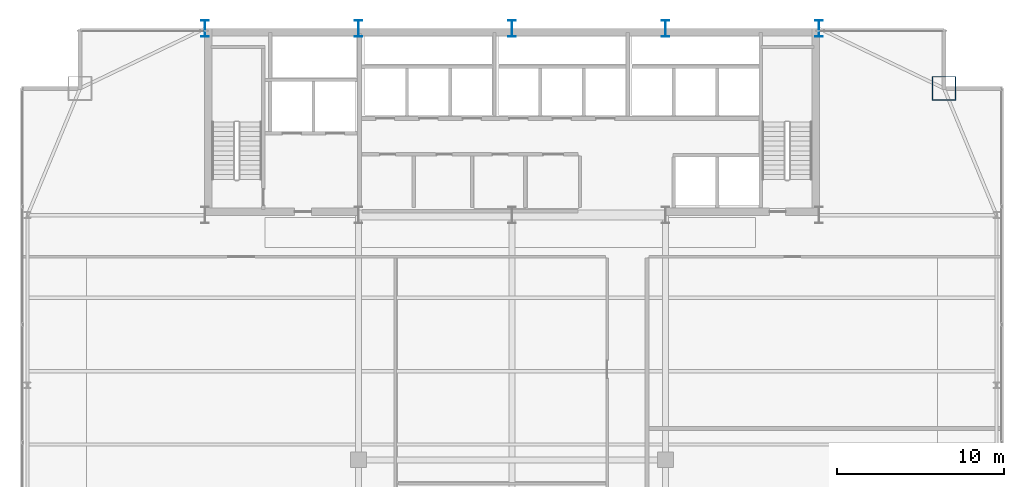
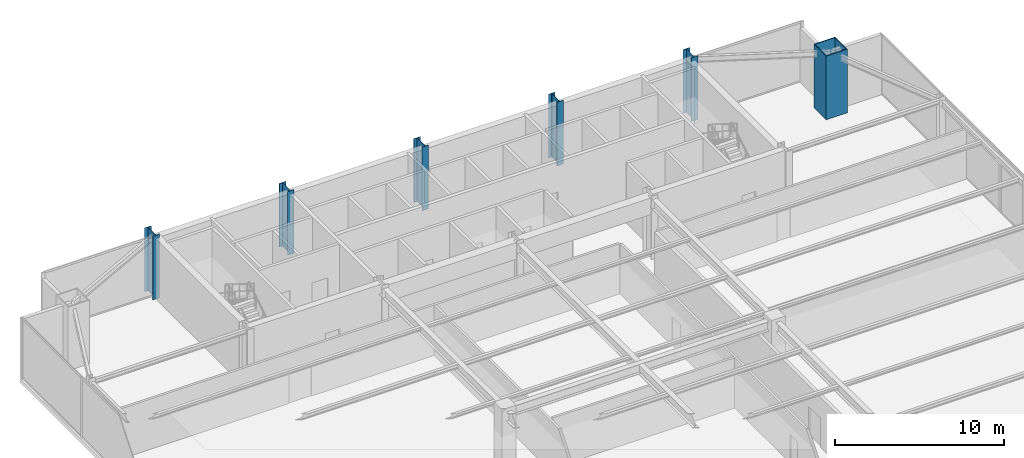
# One storey, part 3 of 32: 6 columns.
"""IFC4 building model written with IfcOpenShell, lengths in metres."""

import ifcopenshell
import ifcopenshell.guid

model = None  # the IFC model being written
_history = None  # IfcOwnerHistory: only IFC2X3 demands one
_inside = {}  # id of a spatial element -> (the spatial element, [elements in it])
_under = {}  # id of a project, library or spatial element -> (it, [spatial elements below it])
_declared = {}  # id of a project -> (the project, [libraries it declares])
_typed = {}  # id of a type object -> (the type object, [elements of that type])
_made_of = {}  # id of a material, layer set ... -> (it, [elements and type objects made of it])


def new_model(schema):
    """Start an empty IFC model of exactly this schema.

    Asked for "IFC4X3", IfcOpenShell would pick the latest addendum, in which some entities
    have other attributes; the version numbers below select the first issue.
    IFC2X3 requires an IfcOwnerHistory on every rooted entity: one is made here for all.
    """
    global model, _history
    if schema == "IFC4X3":
        model = ifcopenshell.file(schema_version=(4, 3, 0, 0))
    else:
        model = ifcopenshell.file(schema=schema)
    _inside.clear()
    _under.clear()
    _declared.clear()
    _typed.clear()
    _made_of.clear()
    _history = None
    if model.schema == "IFC2X3":
        org = make("IfcOrganization", Name="unknown")
        user = make(
            "IfcPersonAndOrganization",
            ThePerson=make("IfcPerson", FamilyName="unknown"),
            TheOrganization=org,
        )
        app = make(
            "IfcApplication",
            ApplicationDeveloper=org,
            Version="unknown",
            ApplicationFullName="unknown",
            ApplicationIdentifier="unknown",
        )
        _history = make(
            "IfcOwnerHistory",
            OwningUser=user,
            OwningApplication=app,
            ChangeAction="ADDED",
            CreationDate=0,
        )
    return model


def make(cls, **values):
    """One entity of the class cls with the attributes given. An attribute that is None is left unset."""
    return model.create_entity(
        cls, **{name: value for name, value in values.items() if value is not None}
    )


def rooted(cls, **values):
    """An entity with a GlobalId (a new one), such as an element, a storey or a relation."""
    return make(cls, GlobalId=ifcopenshell.guid.new(), OwnerHistory=_history, **values)


def si_unit(unit_type, name, prefix=None):
    """IfcSIUnit, for example si_unit("LENGTHUNIT", "METRE", prefix="MILLI")."""
    return make("IfcSIUnit", UnitType=unit_type, Prefix=prefix, Name=name)


def assignment(units):
    """IfcUnitAssignment: the units of a project."""
    return None if units is None else make("IfcUnitAssignment", Units=units)


def point(xyz):
    """IfcCartesianPoint."""
    return None if xyz is None else make("IfcCartesianPoint", Coordinates=xyz)


def direction(xyz):
    """IfcDirection."""
    return None if xyz is None else make("IfcDirection", DirectionRatios=xyz)


def frame(location, z_axis=None, x_axis=None):
    """IfcAxis2Placement3D, a coordinate frame: its origin and axes. An axis left out is left unset."""
    return make(
        "IfcAxis2Placement3D",
        Location=point(location),
        Axis=direction(z_axis),
        RefDirection=direction(x_axis),
    )


def frame_2d(location, x_axis=None):
    """IfcAxis2Placement2D, a coordinate frame in the plane: its origin and x axis."""
    return make(
        "IfcAxis2Placement2D", Location=point(location), RefDirection=direction(x_axis)
    )


def origin():
    """The frame at (0, 0, 0) with its axes left unset."""
    return frame((0.0, 0.0, 0.0))


def origin_2d():
    """The frame at (0, 0) in the plane with its x axis left unset."""
    return frame_2d((0.0, 0.0))


def place(relative_to, where):
    """IfcLocalPlacement: puts the frame where relative to a parent placement (None: the world)."""
    return make(
        "IfcLocalPlacement", PlacementRelTo=relative_to, RelativePlacement=where
    )


def context(
    kind, dimensions, precision=None, world=None, true_north=None, identifier=None
):
    """IfcGeometricRepresentationContext, for example the 3D "Model" context."""
    return make(
        "IfcGeometricRepresentationContext",
        ContextIdentifier=identifier,
        ContextType=kind,
        CoordinateSpaceDimension=dimensions,
        Precision=precision,
        WorldCoordinateSystem=world,
        TrueNorth=true_north,
    )


def subcontext(parent, identifier, kind, view, scale=None):
    """IfcGeometricRepresentationSubContext, for example "Body" below "Model"."""
    return make(
        "IfcGeometricRepresentationSubContext",
        ContextIdentifier=identifier,
        ContextType=kind,
        ParentContext=parent,
        TargetScale=scale,
        TargetView=view,
    )


def project(units=None, contexts=None):
    """IfcProject with its units and contexts."""
    return rooted(
        "IfcProject",
        Name="project",
        RepresentationContexts=contexts,
        UnitsInContext=assignment(units),
    )


def spatial(cls, under=None, at=None, **own):
    """A site, building, storey or space (cls), placed at a placement, below another one or the project."""
    s = rooted(cls, ObjectPlacement=at, **own)
    if under is not None:
        _under.setdefault(under.id(), (under, []))[1].append(s)
    return s


def profile(cls, at=None, kind="AREA", **sizes):
    """A parametric profile (cls). Its sizes go by their IFC names, for example OverallWidth=200.0."""
    return make(cls, ProfileType=kind, Position=at, **sizes)


def hollow_rectangle(**sizes):
    """IfcRectangleHollowProfileDef."""
    return profile("IfcRectangleHollowProfileDef", **sizes)


def i_section(**sizes):
    """IfcIShapeProfileDef."""
    return profile("IfcIShapeProfileDef", **sizes)


def extrude(swept, where, along, depth):
    """IfcExtrudedAreaSolid: the profile swept, set in the frame where, extruded along a direction by depth."""
    return make(
        "IfcExtrudedAreaSolid",
        SweptArea=swept,
        Position=where,
        ExtrudedDirection=direction(along),
        Depth=depth,
    )


def shape(context_of_items, identifier, shape_type, items):
    """IfcShapeRepresentation: the items that make up one representation, for example the "Body"."""
    return make(
        "IfcShapeRepresentation",
        ContextOfItems=context_of_items,
        RepresentationIdentifier=identifier,
        RepresentationType=shape_type,
        Items=items,
    )


def source(mapping_origin, context_of_items, identifier, shape_type, items):
    """IfcRepresentationMap: a shape defined once, which mapped items show again and again."""
    return make(
        "IfcRepresentationMap",
        MappingOrigin=mapping_origin,
        MappedRepresentation=shape(context_of_items, identifier, shape_type, items),
    )


def transform(
    local_origin,
    x_axis=None,
    y_axis=None,
    z_axis=None,
    scale=None,
    scale2=None,
    scale3=None,
    uniform=True,
):
    """IfcCartesianTransformationOperator3D, or its non-uniform kind. x_axis, y_axis, z_axis: its Axis1, 2, 3."""
    if uniform:
        return make(
            "IfcCartesianTransformationOperator3D",
            Axis1=direction(x_axis),
            Axis2=direction(y_axis),
            LocalOrigin=point(local_origin),
            Scale=scale,
            Axis3=direction(z_axis),
        )
    return make(
        "IfcCartesianTransformationOperator3DnonUniform",
        Axis1=direction(x_axis),
        Axis2=direction(y_axis),
        LocalOrigin=point(local_origin),
        Scale=scale,
        Axis3=direction(z_axis),
        Scale2=scale2,
        Scale3=scale3,
    )


def mapped(mapping_source, mapping_target):
    """IfcMappedItem: shows the shape of a source again, moved by a transform."""
    return make(
        "IfcMappedItem", MappingSource=mapping_source, MappingTarget=mapping_target
    )


def material(Name=None, Category=None):
    """IfcMaterial."""
    return make("IfcMaterial", Name=Name, Category=Category)


def material_profile(
    of_material, cross_section, Name=None, Category=None, Priority=None
):
    """IfcMaterialProfile: a cross section and its material."""
    return make(
        "IfcMaterialProfile",
        Name=Name,
        Material=of_material,
        Profile=cross_section,
        Priority=Priority,
        Category=Category,
    )


def profile_set(profiles, Name=None, composite=None):
    """IfcMaterialProfileSet."""
    return make(
        "IfcMaterialProfileSet",
        Name=Name,
        MaterialProfiles=profiles,
        CompositeProfile=composite,
    )


def made_of(thing, what):
    """Note that an element or type object is made of a material, layer set ...; save() writes the relation."""
    if what is not None:
        _made_of.setdefault(what.id(), (what, []))[1].append(thing)
    return thing


def type_object(cls, material=None, **own):
    """A type object (cls), such as IfcWallType, which elements share."""
    return made_of(rooted(cls, **own), material)


def type_shapes(of_type, sources):
    """Give a type object the sources (RepresentationMaps) that its elements show as mapped items."""
    of_type.RepresentationMaps = sources


def element(
    cls,
    number,
    at=None,
    inside=None,
    cuts=None,
    type_object=None,
    material=None,
    context=None,
    identifier="Body",
    shape_type=None,
    held_by="IfcProductDefinitionShape",
    body=None,
    shapes=None,
    **own,
):
    """One element of the class cls, such as IfcWall. Its Tag is "e" and its number.

    at: its placement. inside: the storey or other place that contains it. cuts: it is an
    opening in that element (IfcRelVoidsElement). A single representation is given by context,
    identifier, shape_type and body (its items); several are given by shapes. held_by: the class
    of the entity that holds the representations. save() writes the other relations.
    """
    e = rooted(cls, Tag="e%d" % number, ObjectPlacement=at, **own)
    if body is not None:
        shapes = [shape(context, identifier, shape_type, body)]
    if shapes is not None:
        e.Representation = make(held_by, Representations=shapes)
    if inside is not None:
        _inside.setdefault(inside.id(), (inside, []))[1].append(e)
    if cuts is not None:
        rooted(
            "IfcRelVoidsElement", RelatingBuildingElement=cuts, RelatedOpeningElement=e
        )
    if type_object is not None:
        _typed.setdefault(type_object.id(), (type_object, []))[1].append(e)
    return made_of(e, material)


def aggregate(whole, parts):
    """IfcRelAggregates: a whole, such as a stair, and the parts it consists of."""
    return rooted("IfcRelAggregates", RelatingObject=whole, RelatedObjects=parts)


def save(model, path):
    """Write the relations noted so far, then the file.

    IfcRelAggregates (storeys below a building ...), IfcRelContainedInSpatialStructure (elements
    in a storey), IfcRelDefinesByType, IfcRelAssociatesMaterial and IfcRelDeclares: one each for
    every whole, place, type object, material and project.
    """
    for whole, parts in _under.values():
        aggregate(whole, parts)
    for where, things in _inside.values():
        rooted(
            "IfcRelContainedInSpatialStructure",
            RelatedElements=things,
            RelatingStructure=where,
        )
    for kind, things in _typed.values():
        rooted("IfcRelDefinesByType", RelatedObjects=things, RelatingType=kind)
    for what, things in _made_of.values():
        rooted("IfcRelAssociatesMaterial", RelatedObjects=things, RelatingMaterial=what)
    for by, libraries in _declared.values():
        rooted("IfcRelDeclares", RelatingContext=by, RelatedDefinitions=libraries)
    model.write(path)


model = new_model("IFC4")

# Units and contexts
model_context = context("Model", 3, precision=1e-05, world=origin(), true_north=direction((0.0, 1.0)))
body_context = subcontext(model_context, "Body", "Model", "MODEL_VIEW")
ifc_project = project(units=[si_unit("LENGTHUNIT", "METRE"), si_unit("AREAUNIT", "SQUARE_METRE"), si_unit("VOLUMEUNIT", "CUBIC_METRE"), si_unit("PLANEANGLEUNIT", "RADIAN"), si_unit("MASSUNIT", "GRAM", prefix="KILO")], contexts=[model_context])

# Site, building, storey
site_placement = place(None, origin())
site = spatial("IfcSite", under=ifc_project, at=site_placement, CompositionType="ELEMENT")
building_placement = place(site_placement, origin())
building = spatial("IfcBuilding", under=site, at=building_placement, Name="Varnel Quay Broadcast Tower", CompositionType="ELEMENT")
storey_placement = place(building_placement, frame((0.0, 0.0, 98.39990234375)))
storey = spatial("IfcBuildingStorey", under=building, at=storey_placement, Name="L23", CompositionType="ELEMENT", Elevation=98.39990234375)

# Columns
ifc_material = material(Name="Structural Steel CSA G40.21 350WT", Category="steel")
ifc_material_profile_1 = material_profile(ifc_material, i_section(OverallWidth=0.449951171875, OverallDepth=1.0, WebThickness=0.01611328125, FlangeThickness=0.030029296875, FilletRadius=0.01611328125, at=origin_2d()), Name="WWF1000X362")
ifc_profile_set_1 = profile_set([ifc_material_profile_1], Name="Structural Steel CSA G40.21 350WT")
column_type_1 = type_object("IfcColumnType", Name="Col_WWF1000X362", PredefinedType="COLUMN", material=ifc_profile_set_1)
shared_shape_1 = source(origin(), body_context, "Body", "SweptSolid", [
    extrude(i_section(OverallWidth=0.449951171875, OverallDepth=1.0, WebThickness=0.01611328125, FlangeThickness=0.030029296875, FilletRadius=0.01611328125, at=origin_2d()), origin(), (0.0, 0.0, 1.0), 4.60009765625),
])
type_shapes(column_type_1, [shared_shape_1])
for number, where, z_axis, x_axis, name in (
    (1, (15.60009765625, 46.800048828125, 0.0), (0.0, 0.0, 1.0), (1.0, 0.0, 0.0), "L23 Column CC-N1"),
    (2, (24.800048828125, 46.800048828125, 0.0), (0.0, 0.0, 1.0), (1.0, 0.0, 0.0), "L23 Column CC-N2"),
    (3, (34.0, 46.800048828125, 0.0), (0.0, 0.0, 1.0), (1.0, 0.0, 0.0), "L23 Column CC-N3"),
    (4, (43.199951171875, 46.800048828125, 0.0), (0.0, 0.0, 1.0), (1.0, 0.0, 0.0), "L23 Column CC-N4"),
    (5, (52.39990234375, 46.800048828125, 0.0), (0.0, 0.0, 1.0), (1.0, 0.0, 0.0), "L23 Column CC-N5"),
):
    element("IfcColumn", number, at=place(storey_placement, frame(where, z_axis=z_axis, x_axis=x_axis)), inside=storey, type_object=column_type_1, Name=name, PredefinedType="COLUMN", context=body_context, shape_type="MappedRepresentation", body=[
        mapped(shared_shape_1, transform((0.0, 0.0, 0.0), x_axis=(1.0, 0.0, 0.0), y_axis=(0.0, 1.0, 0.0), z_axis=(0.0, 0.0, 1.0), scale=1.0)),
    ])
ifc_material_profile_2 = material_profile(ifc_material, hollow_rectangle(XDim=1.449951171875, YDim=1.449951171875, WallThickness=0.054931640625, at=origin_2d()), Name="BOX1450X1450X55")
ifc_profile_set_2 = profile_set([ifc_material_profile_2], Name="Structural Steel CSA G40.21 350WT")
column_type_2 = type_object("IfcColumnType", Name="Col_BOX1450X1450X55", PredefinedType="COLUMN", material=ifc_profile_set_2)
shared_shape_2 = source(origin(), body_context, "Body", "SweptSolid", [
    extrude(hollow_rectangle(XDim=1.449951171875, YDim=1.449951171875, WallThickness=0.054931640625, at=origin_2d()), origin(), (0.0, 0.0, 1.0), 4.60009765625),
])
type_shapes(column_type_2, [shared_shape_2])
column_placement = place(storey_placement, frame((59.89990234375, 43.199951171875, 0.0), z_axis=(0.0, 0.0, 1.0), x_axis=(1.0, 0.0, 0.0)))
element("IfcColumn", 6, at=column_placement, inside=storey, type_object=column_type_2, Name="L23 Column MC-NE", PredefinedType="COLUMN", context=body_context, shape_type="MappedRepresentation", body=[
    mapped(shared_shape_2, transform((0.0, 0.0, 0.0), x_axis=(1.0, 0.0, 0.0), y_axis=(0.0, 1.0, 0.0), z_axis=(0.0, 0.0, 1.0), scale=1.0)),
])

save(model, "model.ifc")
